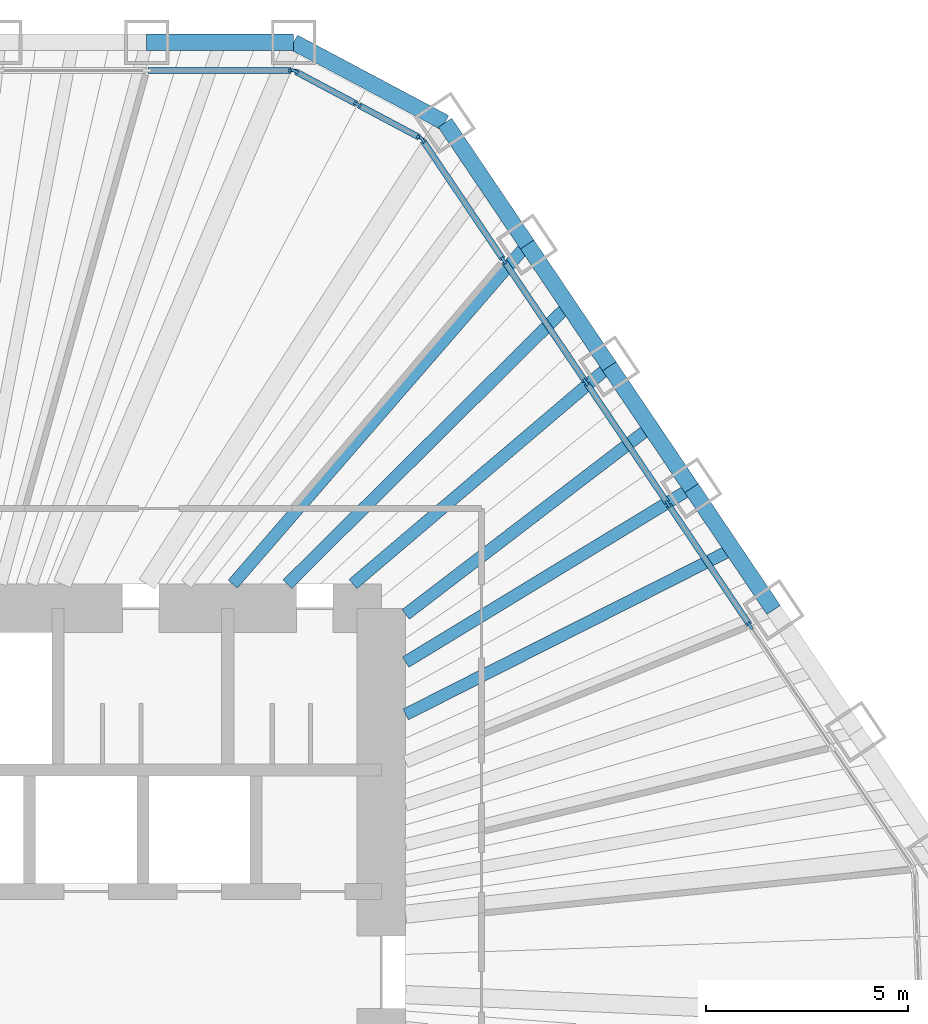
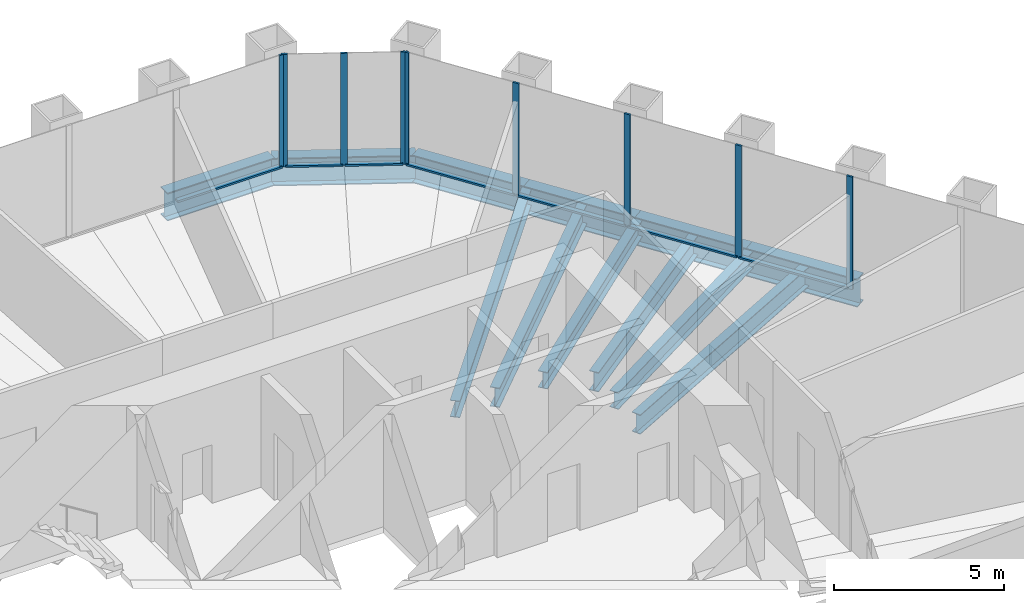
# One storey, part 7 of 13: 16 members, 12 beams, 3 elements without a shape of their own.
"""IFC4 building model written with IfcOpenShell, lengths in metres."""

from ifc_helpers import new_model, si_unit, direction, frame, origin, origin_2d, place, context, subcontext, project, spatial, rectangle, i_section, extrude, material, material_profile, profile_set, type_object, element, aggregate, save


model = new_model("IFC4")

# Units and contexts
model_context = context("Model", 3, precision=1e-05, world=origin(), true_north=direction((0.0, 1.0)))
body_context = subcontext(model_context, "Body", "Model", "MODEL_VIEW")
ifc_project = project(units=[si_unit("LENGTHUNIT", "METRE"), si_unit("AREAUNIT", "SQUARE_METRE"), si_unit("VOLUMEUNIT", "CUBIC_METRE"), si_unit("PLANEANGLEUNIT", "RADIAN"), si_unit("MASSUNIT", "GRAM", prefix="KILO")], contexts=[model_context])

# Site, building, storey
site_placement = place(None, origin())
site = spatial("IfcSite", under=ifc_project, at=site_placement, CompositionType="ELEMENT")
building_placement = place(site_placement, origin())
building = spatial("IfcBuilding", under=site, at=building_placement, Name="Qingtian Harvest Tower", CompositionType="ELEMENT")
storey_placement = place(building_placement, frame((0.0, 0.0, 214.0)))
storey = spatial("IfcBuildingStorey", under=building, at=storey_placement, Name="L46", CompositionType="ELEMENT", Elevation=214.0)

# Beams
ifc_material_1 = material(Name="Steel SN490B", Category="steel")
ifc_material_profile_1 = material_profile(ifc_material_1, i_section(OverallWidth=0.300048828125, OverallDepth=0.60009765625, WebThickness=0.011962890625, FlangeThickness=0.02001953125, at=origin_2d()), Name="H600x300x12x20")
ifc_profile_set_1 = profile_set([ifc_material_profile_1], Name="Steel SN490B")
beam_type_1 = type_object("IfcBeamType", Name="Floor beam FB3 H600x300x12x20", PredefinedType="BEAM", material=ifc_profile_set_1)
beam_1_placement = place(storey_placement, frame((15.603271484375, 17.998046875, -0.469970703125), z_axis=(-0.655048444444, -0.755586881458, 0.0), x_axis=(0.755586881458, -0.655048444444, 0.0)))
element("IfcBeam", 1, at=beam_1_placement, inside=storey, type_object=beam_type_1, Name="Floor beam FB3 NE1", PredefinedType="BEAM", context=body_context, shape_type="SweptSolid", body=[
    extrude(i_section(OverallWidth=0.300048828125, OverallDepth=0.60009765625, WebThickness=0.011962890625, FlangeThickness=0.02001953125, at=origin_2d()), origin(), (0.0, 0.0, 1.0), 11.114501953125),
])
beam_2_placement = place(storey_placement, frame((17.635009765625, 14.985595703125, -0.469970703125), z_axis=(-0.762028398305, -0.647543604846, 0.0), x_axis=(0.647543604846, -0.762028398305, 0.0)))
element("IfcBeam", 2, at=beam_2_placement, inside=storey, type_object=beam_type_1, Name="Floor beam FB3 NE2", PredefinedType="BEAM", context=body_context, shape_type="SweptSolid", body=[
    extrude(i_section(OverallWidth=0.300048828125, OverallDepth=0.60009765625, WebThickness=0.011962890625, FlangeThickness=0.02001953125, at=origin_2d()), origin(), (0.0, 0.0, 1.0), 8.31689453125),
])
beam_3_placement = place(storey_placement, frame((19.6669921875, 11.97314453125, -0.469970703125), z_axis=(-0.854163224424, -0.520004986554, 0.0), x_axis=(0.520004986554, -0.854163224424, 0.0)))
element("IfcBeam", 3, at=beam_3_placement, inside=storey, type_object=beam_type_1, Name="Floor beam FB3 NE3", PredefinedType="BEAM", context=body_context, shape_type="SweptSolid", body=[
    extrude(i_section(OverallWidth=0.300048828125, OverallDepth=0.60009765625, WebThickness=0.011962890625, FlangeThickness=0.02001953125, at=origin_2d()), origin(), (0.0, 0.0, 1.0), 8.2734375),
])
ifc_material_2 = material(Name="Steel SN490B", Category="steel")
ifc_material_profile_2 = material_profile(ifc_material_2, i_section(OverallWidth=0.300048828125, OverallDepth=0.699951171875, WebThickness=0.012939453125, FlangeThickness=0.02392578125, at=origin_2d()), Name="H700x300x13x24")
ifc_profile_set_2 = profile_set([ifc_material_profile_2], Name="Steel SN490B")
beam_type_2 = type_object("IfcBeamType", Name="Floor joist J2 H700x300x13x24", PredefinedType="JOIST", material=ifc_profile_set_2)
beam_4_placement = place(storey_placement, frame((16.619140625, 16.49169921875, -0.52001953125), z_axis=(-0.709833839663, -0.704369164622, 0.0), x_axis=(0.704369164622, -0.709833839663, 0.0)))
element("IfcBeam", 4, at=beam_4_placement, inside=storey, type_object=beam_type_2, Name="Floor joist J2 NE1", PredefinedType="JOIST", context=body_context, shape_type="SweptSolid", body=[
    extrude(i_section(OverallWidth=0.300048828125, OverallDepth=0.699951171875, WebThickness=0.012939453125, FlangeThickness=0.02392578125, at=origin_2d()), origin(), (0.0, 0.0, 1.0), 9.7841796875),
])
beam_5_placement = place(storey_placement, frame((18.651123046875, 13.4794921875, -0.52001953125), z_axis=(-0.794222288871, -0.607627316585, 0.0), x_axis=(0.607627316585, -0.794222288871, 0.0)))
element("IfcBeam", 5, at=beam_5_placement, inside=storey, type_object=beam_type_2, Name="Floor joist J2 NE2", PredefinedType="JOIST", context=body_context, shape_type="SweptSolid", body=[
    extrude(i_section(OverallWidth=0.300048828125, OverallDepth=0.699951171875, WebThickness=0.012939453125, FlangeThickness=0.02392578125, at=origin_2d()), origin(), (0.0, 0.0, 1.0), 7.618896484375),
])
beam_6_placement = place(storey_placement, frame((20.682861328125, 10.467041015625, -0.52001953125), z_axis=(-0.892244443914, -0.451552712652, 0.0), x_axis=(0.451552712652, -0.892244443914, 0.0)))
element("IfcBeam", 6, at=beam_6_placement, inside=storey, type_object=beam_type_2, Name="Floor joist J2 NE3", PredefinedType="JOIST", context=body_context, shape_type="SweptSolid", body=[
    extrude(i_section(OverallWidth=0.300048828125, OverallDepth=0.699951171875, WebThickness=0.012939453125, FlangeThickness=0.02392578125, at=origin_2d()), origin(), (0.0, 0.0, 1.0), 9.058837890625),
])

# Curtain wall, member
ifc_material_3 = material(Name="Bronze-anodised aluminium curtain wall", Category="aluminium")
curtain_wall_type = type_object("IfcCurtainWallType", Name="Curtain wall CW4 office", PredefinedType="USERDEFINED", material=ifc_material_3)
curtain_wall_1_placement = place(storey_placement, origin())
curtain_wall_1 = element("IfcCurtainWall", 7, at=curtain_wall_1_placement, inside=storey, type_object=curtain_wall_type, Name="Curtain wall CW4 L46 N0-5", ObjectType="RECESSED CURTAIN WALL", PredefinedType="USERDEFINED")
ifc_material_4 = material(Name="Bronze-anodised aluminium mullion", Category="aluminium")
ifc_material_profile_3 = material_profile(ifc_material_4, rectangle(XDim=0.06494140625, YDim=0.199951171875, at=origin_2d()), Name="AL 65x200")
ifc_profile_set_3 = profile_set([ifc_material_profile_3], Name="Bronze-anodised aluminium mullion")
member_type_1 = type_object("IfcMemberType", Name="Mullion CWM 65x200", PredefinedType="MULLION", material=ifc_profile_set_3)
member_1_placement = place(storey_placement, frame((9.796875, 22.300048828125, 0.0), z_axis=(0.0, 0.0, 1.0), x_axis=(0.0, 1.0, 0.0)))
member_1 = element("IfcMember", 8, at=member_1_placement, type_object=member_type_1, Name="CW4 mullion 7", PredefinedType="MULLION", context=body_context, shape_type="SweptSolid", body=[
    extrude(rectangle(XDim=0.06494140625, YDim=0.199951171875, at=origin_2d()), origin(), (0.0, 0.0, 1.0), 4.030029296875),
])

# Curtain wall, members
curtain_wall_2_placement = place(storey_placement, origin())
curtain_wall_2 = element("IfcCurtainWall", 9, at=curtain_wall_2_placement, inside=storey, type_object=curtain_wall_type, Name="Curtain wall CW4 L46 NC", ObjectType="RECESSED CURTAIN WALL", PredefinedType="USERDEFINED")
member_2_placement = place(storey_placement, frame((9.85791015625, 22.28466796875, 0.0), z_axis=(0.0, 0.0, 1.0), x_axis=(0.469471562786, 0.882947592859, 0.0)))
member_2 = element("IfcMember", 10, at=member_2_placement, type_object=member_type_1, Name="CW4 mullion 1", PredefinedType="MULLION", context=body_context, shape_type="SweptSolid", body=[
    extrude(rectangle(XDim=0.06494140625, YDim=0.199951171875, at=origin_2d()), origin(), (0.0, 0.0, 1.0), 4.030029296875),
])
member_3_placement = place(storey_placement, frame((11.41015625, 21.45947265625, 0.0), z_axis=(0.0, 0.0, 1.0), x_axis=(0.469471562786, 0.882947592859, 0.0)))
member_3 = element("IfcMember", 11, at=member_3_placement, type_object=member_type_1, Name="CW4 mullion 2", PredefinedType="MULLION", context=body_context, shape_type="SweptSolid", body=[
    extrude(rectangle(XDim=0.06494140625, YDim=0.199951171875, at=origin_2d()), origin(), (0.0, 0.0, 1.0), 4.030029296875),
])
member_4_placement = place(storey_placement, frame((12.96240234375, 20.634033203125, 0.0), z_axis=(0.0, 0.0, 1.0), x_axis=(0.469471562786, 0.882947592859, 0.0)))
member_4 = element("IfcMember", 12, at=member_4_placement, type_object=member_type_1, Name="CW4 mullion 3", PredefinedType="MULLION", context=body_context, shape_type="SweptSolid", body=[
    extrude(rectangle(XDim=0.06494140625, YDim=0.199951171875, at=origin_2d()), origin(), (0.0, 0.0, 1.0), 4.030029296875),
])

curtain_wall_3_placement = place(storey_placement, origin())
curtain_wall_3 = element("IfcCurtainWall", 13, at=curtain_wall_3_placement, inside=storey, type_object=curtain_wall_type, Name="Curtain wall CW4 L46 NE0-5", ObjectType="RECESSED CURTAIN WALL", PredefinedType="USERDEFINED")
member_5_placement = place(storey_placement, frame((13.00927734375, 20.592041015625, 0.0), z_axis=(0.0, 0.0, 1.0), x_axis=(0.829037572555, 0.559192903471, 0.0)))
member_5 = element("IfcMember", 14, at=member_5_placement, type_object=member_type_1, Name="CW4 mullion 1", PredefinedType="MULLION", context=body_context, shape_type="SweptSolid", body=[
    extrude(rectangle(XDim=0.06494140625, YDim=0.199951171875, at=origin_2d()), origin(), (0.0, 0.0, 1.0), 4.030029296875),
])
member_6_placement = place(storey_placement, frame((15.02294921875, 17.6064453125, 0.0), z_axis=(0.0, 0.0, 1.0), x_axis=(0.829037572555, 0.559192903471, 0.0)))
member_6 = element("IfcMember", 15, at=member_6_placement, type_object=member_type_1, Name="CW4 mullion 2", PredefinedType="MULLION", context=body_context, shape_type="SweptSolid", body=[
    extrude(rectangle(XDim=0.06494140625, YDim=0.199951171875, at=origin_2d()), origin(), (0.0, 0.0, 1.0), 4.030029296875),
])
member_7_placement = place(storey_placement, frame((17.0546875, 14.59423828125, 0.0), z_axis=(0.0, 0.0, 1.0), x_axis=(0.829037572555, 0.559192903471, 0.0)))
member_7 = element("IfcMember", 16, at=member_7_placement, type_object=member_type_1, Name="CW4 mullion 3", PredefinedType="MULLION", context=body_context, shape_type="SweptSolid", body=[
    extrude(rectangle(XDim=0.06494140625, YDim=0.199951171875, at=origin_2d()), origin(), (0.0, 0.0, 1.0), 4.030029296875),
])
member_8_placement = place(storey_placement, frame((19.086669921875, 11.581787109375, 0.0), z_axis=(0.0, 0.0, 1.0), x_axis=(0.829037572555, 0.559192903471, 0.0)))
member_8 = element("IfcMember", 17, at=member_8_placement, type_object=member_type_1, Name="CW4 mullion 4", PredefinedType="MULLION", context=body_context, shape_type="SweptSolid", body=[
    extrude(rectangle(XDim=0.06494140625, YDim=0.199951171875, at=origin_2d()), origin(), (0.0, 0.0, 1.0), 4.030029296875),
])
member_9_placement = place(storey_placement, frame((21.118408203125, 8.569580078125, 0.0), z_axis=(0.0, 0.0, 1.0), x_axis=(0.829037572555, 0.559192903471, 0.0)))
member_9 = element("IfcMember", 18, at=member_9_placement, type_object=member_type_1, Name="CW4 mullion 5", PredefinedType="MULLION", context=body_context, shape_type="SweptSolid", body=[
    extrude(rectangle(XDim=0.06494140625, YDim=0.199951171875, at=origin_2d()), origin(), (0.0, 0.0, 1.0), 4.030029296875),
])

# Beams
ifc_material_5 = material(Name="Steel SN490B", Category="steel")
ifc_material_profile_4 = material_profile(ifc_material_5, i_section(OverallWidth=0.39990234375, OverallDepth=1.0, WebThickness=0.01904296875, FlangeThickness=0.035888671875, at=origin_2d()), Name="H1000x400x19x36")
ifc_profile_set_4 = profile_set([ifc_material_profile_4], Name="Steel SN490B")
beam_type_3 = type_object("IfcBeamType", Name="Spandrel beam SB3 H1000x400x19x36", PredefinedType="SPANDREL", material=ifc_profile_set_4)
beam_7_placement = place(storey_placement, frame((6.19580078125, 23.0, -0.5), z_axis=(1.0, 0.0, 0.0), x_axis=(0.0, 1.0, 0.0)))
element("IfcBeam", 19, at=beam_7_placement, inside=storey, type_object=beam_type_3, Name="Spandrel SB3 N5", PredefinedType="SPANDREL", context=body_context, shape_type="SweptSolid", body=[
    extrude(i_section(OverallWidth=0.39990234375, OverallDepth=1.0, WebThickness=0.01904296875, FlangeThickness=0.035888671875, at=origin_2d()), origin(), (0.0, 0.0, 1.0), 3.633544921875),
])
beam_8_placement = place(storey_placement, frame((9.829345703125, 23.0, -0.5), z_axis=(0.882935902835, -0.469493547863, 0.0), x_axis=(0.469493547863, 0.882935902835, 0.0)))
element("IfcBeam", 20, at=beam_8_placement, inside=storey, type_object=beam_type_3, Name="Spandrel SB3 NC", PredefinedType="SPANDREL", context=body_context, shape_type="SweptSolid", body=[
    extrude(i_section(OverallWidth=0.39990234375, OverallDepth=1.0, WebThickness=0.01904296875, FlangeThickness=0.035888671875, at=origin_2d()), origin(), (0.0, 0.0, 1.0), 4.238037109375),
])
for number, where, z_axis, x_axis, name in (
    (21, (13.5712890625, 21.01025390625, -0.5), (0.559235108412, -0.829009103399, 0.0), (0.829009103399, 0.559235108412, 0.0), "Spandrel SB3 NE0"),
    (22, (15.603271484375, 17.998046875, -0.5), (0.55915777886, -0.829061263321, 0.0), (0.829061263321, 0.55915777886, 0.0), "Spandrel SB3 NE1"),
):
    element("IfcBeam", number, at=place(storey_placement, frame(where, z_axis=z_axis, x_axis=x_axis)), inside=storey, type_object=beam_type_3, Name=name, PredefinedType="SPANDREL", context=body_context, shape_type="SweptSolid", body=[
        extrude(i_section(OverallWidth=0.39990234375, OverallDepth=1.0, WebThickness=0.01904296875, FlangeThickness=0.035888671875, at=origin_2d()), origin(), (0.0, 0.0, 1.0), 3.633544921875),
    ])
beam_9_placement = place(storey_placement, frame((17.635009765625, 14.985595703125, -0.5), z_axis=(0.55920395902, -0.829030115385, 0.0), x_axis=(0.829030115385, 0.55920395902, 0.0)))
element("IfcBeam", 23, at=beam_9_placement, inside=storey, type_object=beam_type_3, Name="Spandrel SB3 NE2", PredefinedType="SPANDREL", context=body_context, shape_type="SweptSolid", body=[
    extrude(i_section(OverallWidth=0.39990234375, OverallDepth=1.0, WebThickness=0.01904296875, FlangeThickness=0.035888671875, at=origin_2d()), origin(), (0.0, 0.0, 1.0), 3.6337890625),
])
beam_10_placement = place(storey_placement, frame((19.6669921875, 11.97314453125, -0.5), z_axis=(0.559188928021, -0.829040254016, 0.0), x_axis=(0.829040254016, 0.559188928021, 0.0)))
element("IfcBeam", 24, at=beam_10_placement, inside=storey, type_object=beam_type_3, Name="Spandrel SB3 NE3", PredefinedType="SPANDREL", context=body_context, shape_type="SweptSolid", body=[
    extrude(i_section(OverallWidth=0.39990234375, OverallDepth=1.0, WebThickness=0.01904296875, FlangeThickness=0.035888671875, at=origin_2d()), origin(), (0.0, 0.0, 1.0), 3.63330078125),
])

# Member
ifc_material_6 = material(Name="Bronze-anodised aluminium transom", Category="aluminium")
ifc_material_profile_5 = material_profile(ifc_material_6, rectangle(XDim=0.14990234375, YDim=0.06494140625, at=origin_2d()), Name="AL 65x150")
ifc_profile_set_5 = profile_set([ifc_material_profile_5], Name="Bronze-anodised aluminium transom")
member_type_2 = type_object("IfcMemberType", Name="Transom CWT 65x150", PredefinedType="USERDEFINED", material=ifc_profile_set_5)
member_10_placement = place(storey_placement, frame((6.228271484375, 22.300048828125, 0.032470703125), z_axis=(1.0, 0.0, 0.0), x_axis=(0.0, 1.0, 0.0)))
member_10 = element("IfcMember", 25, at=member_10_placement, type_object=member_type_2, Name="CW4 transom 6.1", ObjectType="TRANSOM", PredefinedType="USERDEFINED", context=body_context, shape_type="SweptSolid", body=[
    extrude(rectangle(XDim=0.14990234375, YDim=0.06494140625, at=origin_2d()), origin(), (0.0, 0.0, 1.0), 3.5361328125),
])

aggregate(curtain_wall_1, [member_1, member_10])

member_11_placement = place(storey_placement, frame((9.88671875, 22.26953125, 0.032470703125), z_axis=(0.882927080927, -0.469510138086, 0.0), x_axis=(0.469510138086, 0.882927080927, 0.0)))
member_11 = element("IfcMember", 26, at=member_11_placement, type_object=member_type_2, Name="CW4 transom 1.1", ObjectType="TRANSOM", PredefinedType="USERDEFINED", context=body_context, shape_type="SweptSolid", body=[
    extrude(rectangle(XDim=0.14990234375, YDim=0.06494140625, at=origin_2d()), origin(), (0.0, 0.0, 1.0), 1.693115234375),
])

member_12_placement = place(storey_placement, frame((11.43896484375, 21.444091796875, 0.032470703125), z_axis=(0.882955074232, -0.469457492098, 0.0), x_axis=(0.469457492098, 0.882955074232, 0.0)))
member_12 = element("IfcMember", 27, at=member_12_placement, type_object=member_type_2, Name="CW4 transom 2.1", ObjectType="TRANSOM", PredefinedType="USERDEFINED", context=body_context, shape_type="SweptSolid", body=[
    extrude(rectangle(XDim=0.14990234375, YDim=0.06494140625, at=origin_2d()), origin(), (0.0, 0.0, 1.0), 1.69287109375),
])

aggregate(curtain_wall_2, [member_2, member_3, member_4, member_11, member_12])

member_13_placement = place(storey_placement, frame((13.02734375, 20.56494140625, 0.032470703125), z_axis=(0.559201266891, -0.829031931295, 0.0), x_axis=(0.829031931295, 0.559201266891, 0.0)))
member_13 = element("IfcMember", 28, at=member_13_placement, type_object=member_type_2, Name="CW4 transom 1.1", ObjectType="TRANSOM", PredefinedType="USERDEFINED", context=body_context, shape_type="SweptSolid", body=[
    extrude(rectangle(XDim=0.14990234375, YDim=0.06494140625, at=origin_2d()), origin(), (0.0, 0.0, 1.0), 3.535888671875),
])

member_14_placement = place(storey_placement, frame((15.041015625, 17.57958984375, 0.032470703125), z_axis=(0.559207281901, -0.829027874, 0.0), x_axis=(0.829027874, 0.559207281901, 0.0)))
member_14 = element("IfcMember", 29, at=member_14_placement, type_object=member_type_2, Name="CW4 transom 2.1", ObjectType="TRANSOM", PredefinedType="USERDEFINED", context=body_context, shape_type="SweptSolid", body=[
    extrude(rectangle(XDim=0.14990234375, YDim=0.06494140625, at=origin_2d()), origin(), (0.0, 0.0, 1.0), 3.568603515625),
])

member_15_placement = place(storey_placement, frame((17.072998046875, 14.567138671875, 0.032470703125), z_axis=(0.559191977147, -0.829038197368, 0.0), x_axis=(0.829038197368, 0.559191977147, 0.0)))
member_15 = element("IfcMember", 30, at=member_15_placement, type_object=member_type_2, Name="CW4 transom 3.1", ObjectType="TRANSOM", PredefinedType="USERDEFINED", context=body_context, shape_type="SweptSolid", body=[
    extrude(rectangle(XDim=0.14990234375, YDim=0.06494140625, at=origin_2d()), origin(), (0.0, 0.0, 1.0), 3.568359375),
])

member_16_placement = place(storey_placement, frame((19.104736328125, 11.554931640625, 0.032470703125), z_axis=(0.559207281901, -0.829027874, 0.0), x_axis=(0.829027874, 0.559207281901, 0.0)))
member_16 = element("IfcMember", 31, at=member_16_placement, type_object=member_type_2, Name="CW4 transom 4.1", ObjectType="TRANSOM", PredefinedType="USERDEFINED", context=body_context, shape_type="SweptSolid", body=[
    extrude(rectangle(XDim=0.14990234375, YDim=0.06494140625, at=origin_2d()), origin(), (0.0, 0.0, 1.0), 3.568603515625),
])

aggregate(curtain_wall_3, [member_5, member_6, member_7, member_8, member_9, member_13, member_14, member_15, member_16])

save(model, "model.ifc")
